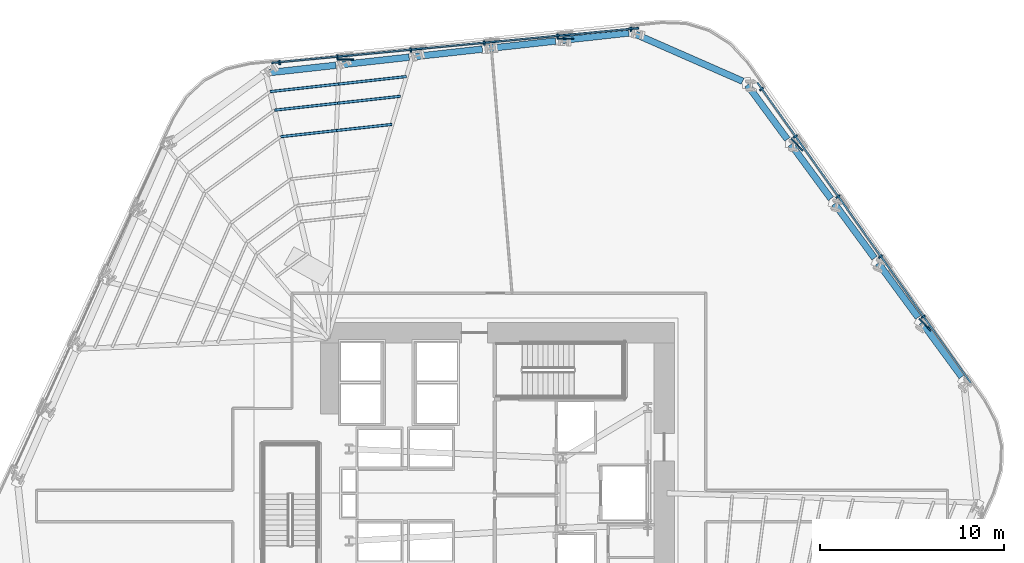
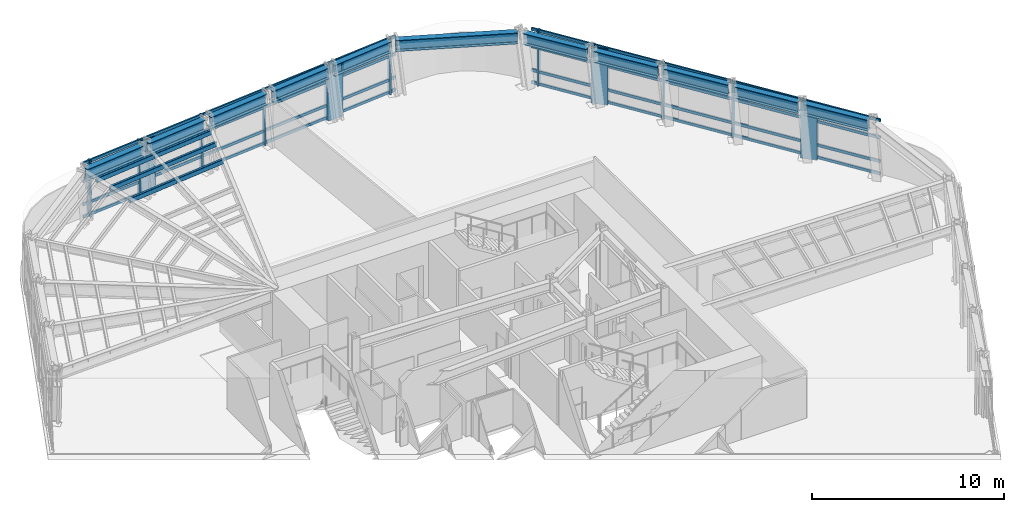
# One storey, part 6 of 16: 29 members, 11 beams, 2 elements without a shape of their own.
"""IFC4 building model written with IfcOpenShell, lengths in metres."""

import ifcopenshell
import ifcopenshell.guid

model = None  # the IFC model being written
_history = None  # IfcOwnerHistory: only IFC2X3 demands one
_inside = {}  # id of a spatial element -> (the spatial element, [elements in it])
_under = {}  # id of a project, library or spatial element -> (it, [spatial elements below it])
_declared = {}  # id of a project -> (the project, [libraries it declares])
_typed = {}  # id of a type object -> (the type object, [elements of that type])
_made_of = {}  # id of a material, layer set ... -> (it, [elements and type objects made of it])


def new_model(schema):
    """Start an empty IFC model of exactly this schema.

    Asked for "IFC4X3", IfcOpenShell would pick the latest addendum, in which some entities
    have other attributes; the version numbers below select the first issue.
    IFC2X3 requires an IfcOwnerHistory on every rooted entity: one is made here for all.
    """
    global model, _history
    if schema == "IFC4X3":
        model = ifcopenshell.file(schema_version=(4, 3, 0, 0))
    else:
        model = ifcopenshell.file(schema=schema)
    _inside.clear()
    _under.clear()
    _declared.clear()
    _typed.clear()
    _made_of.clear()
    _history = None
    if model.schema == "IFC2X3":
        org = make("IfcOrganization", Name="unknown")
        user = make(
            "IfcPersonAndOrganization",
            ThePerson=make("IfcPerson", FamilyName="unknown"),
            TheOrganization=org,
        )
        app = make(
            "IfcApplication",
            ApplicationDeveloper=org,
            Version="unknown",
            ApplicationFullName="unknown",
            ApplicationIdentifier="unknown",
        )
        _history = make(
            "IfcOwnerHistory",
            OwningUser=user,
            OwningApplication=app,
            ChangeAction="ADDED",
            CreationDate=0,
        )
    return model


def make(cls, **values):
    """One entity of the class cls with the attributes given. An attribute that is None is left unset."""
    return model.create_entity(
        cls, **{name: value for name, value in values.items() if value is not None}
    )


def rooted(cls, **values):
    """An entity with a GlobalId (a new one), such as an element, a storey or a relation."""
    return make(cls, GlobalId=ifcopenshell.guid.new(), OwnerHistory=_history, **values)


def si_unit(unit_type, name, prefix=None):
    """IfcSIUnit, for example si_unit("LENGTHUNIT", "METRE", prefix="MILLI")."""
    return make("IfcSIUnit", UnitType=unit_type, Prefix=prefix, Name=name)


def assignment(units):
    """IfcUnitAssignment: the units of a project."""
    return None if units is None else make("IfcUnitAssignment", Units=units)


def point(xyz):
    """IfcCartesianPoint."""
    return None if xyz is None else make("IfcCartesianPoint", Coordinates=xyz)


def direction(xyz):
    """IfcDirection."""
    return None if xyz is None else make("IfcDirection", DirectionRatios=xyz)


def frame(location, z_axis=None, x_axis=None):
    """IfcAxis2Placement3D, a coordinate frame: its origin and axes. An axis left out is left unset."""
    return make(
        "IfcAxis2Placement3D",
        Location=point(location),
        Axis=direction(z_axis),
        RefDirection=direction(x_axis),
    )


def frame_2d(location, x_axis=None):
    """IfcAxis2Placement2D, a coordinate frame in the plane: its origin and x axis."""
    return make(
        "IfcAxis2Placement2D", Location=point(location), RefDirection=direction(x_axis)
    )


def origin():
    """The frame at (0, 0, 0) with its axes left unset."""
    return frame((0.0, 0.0, 0.0))


def origin_2d():
    """The frame at (0, 0) in the plane with its x axis left unset."""
    return frame_2d((0.0, 0.0))


def place(relative_to, where):
    """IfcLocalPlacement: puts the frame where relative to a parent placement (None: the world)."""
    return make(
        "IfcLocalPlacement", PlacementRelTo=relative_to, RelativePlacement=where
    )


def context(
    kind, dimensions, precision=None, world=None, true_north=None, identifier=None
):
    """IfcGeometricRepresentationContext, for example the 3D "Model" context."""
    return make(
        "IfcGeometricRepresentationContext",
        ContextIdentifier=identifier,
        ContextType=kind,
        CoordinateSpaceDimension=dimensions,
        Precision=precision,
        WorldCoordinateSystem=world,
        TrueNorth=true_north,
    )


def subcontext(parent, identifier, kind, view, scale=None):
    """IfcGeometricRepresentationSubContext, for example "Body" below "Model"."""
    return make(
        "IfcGeometricRepresentationSubContext",
        ContextIdentifier=identifier,
        ContextType=kind,
        ParentContext=parent,
        TargetScale=scale,
        TargetView=view,
    )


def project(units=None, contexts=None):
    """IfcProject with its units and contexts."""
    return rooted(
        "IfcProject",
        Name="project",
        RepresentationContexts=contexts,
        UnitsInContext=assignment(units),
    )


def spatial(cls, under=None, at=None, **own):
    """A site, building, storey or space (cls), placed at a placement, below another one or the project."""
    s = rooted(cls, ObjectPlacement=at, **own)
    if under is not None:
        _under.setdefault(under.id(), (under, []))[1].append(s)
    return s


def profile(cls, at=None, kind="AREA", **sizes):
    """A parametric profile (cls). Its sizes go by their IFC names, for example OverallWidth=200.0."""
    return make(cls, ProfileType=kind, Position=at, **sizes)


def rectangle(**sizes):
    """IfcRectangleProfileDef."""
    return profile("IfcRectangleProfileDef", **sizes)


def hollow_rectangle(**sizes):
    """IfcRectangleHollowProfileDef."""
    return profile("IfcRectangleHollowProfileDef", **sizes)


def i_section(**sizes):
    """IfcIShapeProfileDef."""
    return profile("IfcIShapeProfileDef", **sizes)


def extrude(swept, where, along, depth):
    """IfcExtrudedAreaSolid: the profile swept, set in the frame where, extruded along a direction by depth."""
    return make(
        "IfcExtrudedAreaSolid",
        SweptArea=swept,
        Position=where,
        ExtrudedDirection=direction(along),
        Depth=depth,
    )


def shape(context_of_items, identifier, shape_type, items):
    """IfcShapeRepresentation: the items that make up one representation, for example the "Body"."""
    return make(
        "IfcShapeRepresentation",
        ContextOfItems=context_of_items,
        RepresentationIdentifier=identifier,
        RepresentationType=shape_type,
        Items=items,
    )


def material(Name=None, Category=None):
    """IfcMaterial."""
    return make("IfcMaterial", Name=Name, Category=Category)


def layer(
    of_material, thickness, ventilated=None, Name=None, Category=None, Priority=None
):
    """IfcMaterialLayer: one layer of a wall or slab, of a material (None: an air gap)."""
    return make(
        "IfcMaterialLayer",
        Material=of_material,
        LayerThickness=thickness,
        IsVentilated=ventilated,
        Name=Name,
        Category=Category,
        Priority=Priority,
    )


def layer_set(layers, Name=None):
    """IfcMaterialLayerSet."""
    return make("IfcMaterialLayerSet", MaterialLayers=layers, LayerSetName=Name)


def material_profile(
    of_material, cross_section, Name=None, Category=None, Priority=None
):
    """IfcMaterialProfile: a cross section and its material."""
    return make(
        "IfcMaterialProfile",
        Name=Name,
        Material=of_material,
        Profile=cross_section,
        Priority=Priority,
        Category=Category,
    )


def profile_set(profiles, Name=None, composite=None):
    """IfcMaterialProfileSet."""
    return make(
        "IfcMaterialProfileSet",
        Name=Name,
        MaterialProfiles=profiles,
        CompositeProfile=composite,
    )


def made_of(thing, what):
    """Note that an element or type object is made of a material, layer set ...; save() writes the relation."""
    if what is not None:
        _made_of.setdefault(what.id(), (what, []))[1].append(thing)
    return thing


def type_object(cls, material=None, **own):
    """A type object (cls), such as IfcWallType, which elements share."""
    return made_of(rooted(cls, **own), material)


def element(
    cls,
    number,
    at=None,
    inside=None,
    cuts=None,
    type_object=None,
    material=None,
    context=None,
    identifier="Body",
    shape_type=None,
    held_by="IfcProductDefinitionShape",
    body=None,
    shapes=None,
    **own,
):
    """One element of the class cls, such as IfcWall. Its Tag is "e" and its number.

    at: its placement. inside: the storey or other place that contains it. cuts: it is an
    opening in that element (IfcRelVoidsElement). A single representation is given by context,
    identifier, shape_type and body (its items); several are given by shapes. held_by: the class
    of the entity that holds the representations. save() writes the other relations.
    """
    e = rooted(cls, Tag="e%d" % number, ObjectPlacement=at, **own)
    if body is not None:
        shapes = [shape(context, identifier, shape_type, body)]
    if shapes is not None:
        e.Representation = make(held_by, Representations=shapes)
    if inside is not None:
        _inside.setdefault(inside.id(), (inside, []))[1].append(e)
    if cuts is not None:
        rooted(
            "IfcRelVoidsElement", RelatingBuildingElement=cuts, RelatedOpeningElement=e
        )
    if type_object is not None:
        _typed.setdefault(type_object.id(), (type_object, []))[1].append(e)
    return made_of(e, material)


def aggregate(whole, parts):
    """IfcRelAggregates: a whole, such as a stair, and the parts it consists of."""
    return rooted("IfcRelAggregates", RelatingObject=whole, RelatedObjects=parts)


def save(model, path):
    """Write the relations noted so far, then the file.

    IfcRelAggregates (storeys below a building ...), IfcRelContainedInSpatialStructure (elements
    in a storey), IfcRelDefinesByType, IfcRelAssociatesMaterial and IfcRelDeclares: one each for
    every whole, place, type object, material and project.
    """
    for whole, parts in _under.values():
        aggregate(whole, parts)
    for where, things in _inside.values():
        rooted(
            "IfcRelContainedInSpatialStructure",
            RelatedElements=things,
            RelatingStructure=where,
        )
    for kind, things in _typed.values():
        rooted("IfcRelDefinesByType", RelatedObjects=things, RelatingType=kind)
    for what, things in _made_of.values():
        rooted("IfcRelAssociatesMaterial", RelatedObjects=things, RelatingMaterial=what)
    for by, libraries in _declared.values():
        rooted("IfcRelDeclares", RelatingContext=by, RelatedDefinitions=libraries)
    model.write(path)


model = new_model("IFC4")

# Units and contexts
model_context = context("Model", 3, precision=1e-05, world=origin(), true_north=direction((0.0, 1.0)))
body_context = subcontext(model_context, "Body", "Model", "MODEL_VIEW")
ifc_project = project(units=[si_unit("LENGTHUNIT", "METRE"), si_unit("AREAUNIT", "SQUARE_METRE"), si_unit("VOLUMEUNIT", "CUBIC_METRE"), si_unit("PLANEANGLEUNIT", "RADIAN"), si_unit("MASSUNIT", "GRAM", prefix="KILO")], contexts=[model_context])

# Site, building, storey
site_placement = place(None, origin())
site = spatial("IfcSite", under=ifc_project, at=site_placement, CompositionType="ELEMENT")
building_placement = place(site_placement, origin())
building = spatial("IfcBuilding", under=site, at=building_placement, Name="Valkerne Bourse Tower", CompositionType="ELEMENT")
storey_placement = place(building_placement, frame((0.0, 0.0, 46.800048828125)))
storey = spatial("IfcBuildingStorey", under=building, at=storey_placement, Name="L11", CompositionType="ELEMENT", Elevation=46.800048828125)

# Beams
ifc_material_1 = material(Name="Steel ASTM A992", Category="steel")
ifc_material_profile_1 = material_profile(ifc_material_1, i_section(OverallWidth=0.358154296875, OverallDepth=0.7060546875, WebThickness=0.018310546875, FlangeThickness=0.0302734375, FilletRadius=0.02294921875, at=origin_2d()), Name="W27X178")
ifc_profile_set_1 = profile_set([ifc_material_profile_1], Name="Steel ASTM A992")
beam_type = type_object("IfcBeamType", Name="BM-W27X178", PredefinedType="SPANDREL", material=ifc_profile_set_1)
beam_1_placement = place(storey_placement, frame((71.981689453125, 33.313232421875, 3.226806640625), z_axis=(-0.592020669649, 0.805922779619, 0.0), x_axis=(-0.805922779619, -0.592020669649, 0.0)))
element("IfcBeam", 1, at=beam_1_placement, inside=storey, type_object=beam_type, Name="L11 Hexagonal Spandrel Ring Beam 00", PredefinedType="SPANDREL", context=body_context, shape_type="SweptSolid", body=[
    extrude(i_section(OverallWidth=0.358154296875, OverallDepth=0.7060546875, WebThickness=0.018310546875, FlangeThickness=0.0302734375, FilletRadius=0.02294921875, at=origin_2d()), origin(), (0.0, 0.0, 1.0), 3.65576171875),
])
beam_2_placement = place(storey_placement, frame((69.6162109375, 36.53369140625, 3.226806640625), z_axis=(-0.592064042626, 0.805890916582, 0.0), x_axis=(-0.805890916582, -0.592064042626, 0.0)))
element("IfcBeam", 2, at=beam_2_placement, inside=storey, type_object=beam_type, Name="L11 Hexagonal Spandrel Ring Beam 01", PredefinedType="SPANDREL", context=body_context, shape_type="SweptSolid", body=[
    extrude(i_section(OverallWidth=0.358154296875, OverallDepth=0.7060546875, WebThickness=0.018310546875, FlangeThickness=0.0302734375, FilletRadius=0.02294921875, at=origin_2d()), origin(), (0.0, 0.0, 1.0), 3.656005859375),
])
for number, where, z_axis, x_axis, name in (
    (3, (67.25048828125, 39.754150390625, 3.226806640625), (-0.592032180934, 0.805914323448, 0.0), (-0.805914323448, -0.592032180934, 0.0), "L11 Hexagonal Spandrel Ring Beam 02"),
    (4, (64.884765625, 42.974609375, 3.226806640625), (-0.592032180934, 0.805914323448, 0.0), (-0.805914323448, -0.592032180934, 0.0), "L11 Hexagonal Spandrel Ring Beam 03"),
    (5, (62.51904296875, 46.195068359375, 3.226806640625), (-0.592032180934, 0.805914323448, 0.0), (-0.805914323448, -0.592032180934, 0.0), "L11 Hexagonal Spandrel Ring Beam 04"),
):
    element("IfcBeam", number, at=place(storey_placement, frame(where, z_axis=z_axis, x_axis=x_axis)), inside=storey, type_object=beam_type, Name=name, PredefinedType="SPANDREL", context=body_context, shape_type="SweptSolid", body=[
        extrude(i_section(OverallWidth=0.358154296875, OverallDepth=0.7060546875, WebThickness=0.018310546875, FlangeThickness=0.0302734375, FilletRadius=0.02294921875, at=origin_2d()), origin(), (0.0, 0.0, 1.0), 3.65625),
    ])
beam_3_placement = place(storey_placement, frame((60.098388671875, 49.346923828125, 3.226806640625), z_axis=(-0.915656722887, 0.401961149656, 0.0), x_axis=(-0.401961149656, -0.915656722887, 0.0)))
element("IfcBeam", 6, at=beam_3_placement, inside=storey, type_object=beam_type, Name="L11 Hexagonal Spandrel Ring Beam 05", PredefinedType="SPANDREL", context=body_context, shape_type="SweptSolid", body=[
    extrude(i_section(OverallWidth=0.358154296875, OverallDepth=0.7060546875, WebThickness=0.018310546875, FlangeThickness=0.0302734375, FilletRadius=0.02294921875, at=origin_2d()), origin(), (0.0, 0.0, 1.0), 6.388916015625),
])
beam_4_placement = place(storey_placement, frame((53.923583984375, 51.964599609375, 3.226806640625), z_axis=(-0.99396328081, -0.109713246246, 0.0), x_axis=(0.109713246246, -0.99396328081, 0.0)))
element("IfcBeam", 7, at=beam_4_placement, inside=storey, type_object=beam_type, Name="L11 Hexagonal Spandrel Ring Beam 06", PredefinedType="SPANDREL", context=body_context, shape_type="SweptSolid", body=[
    extrude(i_section(OverallWidth=0.358154296875, OverallDepth=0.7060546875, WebThickness=0.018310546875, FlangeThickness=0.0302734375, FilletRadius=0.02294921875, at=origin_2d()), origin(), (0.0, 0.0, 1.0), 3.656005859375),
])
for number, where, z_axis, x_axis, name in (
    (8, (49.95166015625, 51.526123046875, 3.226806640625), (-0.993962476945, -0.10972052873, 0.0), (0.10972052873, -0.993962476945, 0.0), "L11 Hexagonal Spandrel Ring Beam 07"),
    (9, (45.979736328125, 51.087646484375, 3.226806640625), (-0.993962476945, -0.10972052873, 0.0), (0.10972052873, -0.993962476945, 0.0), "L11 Hexagonal Spandrel Ring Beam 08"),
    (10, (42.0078125, 50.649169921875, 3.226806640625), (-0.993962476945, -0.10972052873, 0.0), (0.10972052873, -0.993962476945, 0.0), "L11 Hexagonal Spandrel Ring Beam 09"),
    (11, (38.035888671875, 50.210693359375, 3.226806640625), (-0.993962476945, -0.10972052873, 0.0), (0.10972052873, -0.993962476945, 0.0), "L11 Hexagonal Spandrel Ring Beam 10"),
):
    element("IfcBeam", number, at=place(storey_placement, frame(where, z_axis=z_axis, x_axis=x_axis)), inside=storey, type_object=beam_type, Name=name, PredefinedType="SPANDREL", context=body_context, shape_type="SweptSolid", body=[
        extrude(i_section(OverallWidth=0.358154296875, OverallDepth=0.7060546875, WebThickness=0.018310546875, FlangeThickness=0.0302734375, FilletRadius=0.02294921875, at=origin_2d()), origin(), (0.0, 0.0, 1.0), 3.65576171875),
    ])

# Curtain wall, members
ifc_material_2 = material(Name="Aluminium AA 6063-T6", Category="aluminium")
ifc_layer = layer(ifc_material_2, 0.22509765625)
ifc_layer_set = layer_set([ifc_layer], Name="Aluminium AA 6063-T6")
curtain_wall_type = type_object("IfcCurtainWallType", Name="CW-01", PredefinedType="NOTDEFINED", material=ifc_layer_set)
curtain_wall_1_placement = place(storey_placement, origin())
curtain_wall_1 = element("IfcCurtainWall", 12, at=curtain_wall_1_placement, inside=storey, type_object=curtain_wall_type, Name="L11 Hexagonal Stick Curtain Wall Face 1", PredefinedType="NOTDEFINED")
ifc_material_profile_2 = material_profile(ifc_material_2, rectangle(XDim=0.090087890625, YDim=0.239990234375, at=origin_2d()), Name="CWM-90X240")
ifc_profile_set_2 = profile_set([ifc_material_profile_2], Name="Aluminium AA 6063-T6")
member_type_1 = type_object("IfcMemberType", Name="CW-MUL-240X90", PredefinedType="MULLION", material=ifc_profile_set_2)
member_1_placement = place(storey_placement, frame((69.8955078125, 36.57470703125, 0.0), z_axis=(0.0, 0.0, 1.0), x_axis=(-0.579274085678, 0.815132831913, 0.0)))
member_1 = element("IfcMember", 13, at=member_1_placement, type_object=member_type_1, Name="CW-L11-F1 Jamb Mullion 01A", PredefinedType="MULLION", context=body_context, shape_type="SweptSolid", body=[
    extrude(rectangle(XDim=0.090087890625, YDim=0.239990234375, at=origin_2d()), origin(), (0.0, 0.0, 1.0), 3.579833984375),
])
member_2_placement = place(storey_placement, frame((67.58056640625, 39.83203125, 0.0), z_axis=(0.0, 0.0, 1.0), x_axis=(-0.579285902215, 0.815124434363, 0.0)))
member_2 = element("IfcMember", 14, at=member_2_placement, type_object=member_type_1, Name="CW-L11-F1 Jamb Mullion 02A", PredefinedType="MULLION", context=body_context, shape_type="SweptSolid", body=[
    extrude(rectangle(XDim=0.090087890625, YDim=0.239990234375, at=origin_2d()), origin(), (0.0, 0.0, 1.0), 3.579833984375),
])
member_3_placement = place(storey_placement, frame((65.265869140625, 43.08935546875, 0.0), z_axis=(0.0, 0.0, 1.0), x_axis=(-0.579274085678, 0.815132831913, 0.0)))
member_3 = element("IfcMember", 15, at=member_3_placement, type_object=member_type_1, Name="CW-L11-F1 Jamb Mullion 03A", PredefinedType="MULLION", context=body_context, shape_type="SweptSolid", body=[
    extrude(rectangle(XDim=0.090087890625, YDim=0.239990234375, at=origin_2d()), origin(), (0.0, 0.0, 1.0), 3.579833984375),
])
member_4_placement = place(storey_placement, frame((62.950927734375, 46.3466796875, 0.0), z_axis=(0.0, 0.0, 1.0), x_axis=(-0.579285902215, 0.815124434363, 0.0)))
member_4 = element("IfcMember", 16, at=member_4_placement, type_object=member_type_1, Name="CW-L11-F1 Jamb Mullion 04A", PredefinedType="MULLION", context=body_context, shape_type="SweptSolid", body=[
    extrude(rectangle(XDim=0.090087890625, YDim=0.239990234375, at=origin_2d()), origin(), (0.0, 0.0, 1.0), 3.579833984375),
])
member_5_placement = place(storey_placement, frame((61.122802734375, 48.919189453125, 0.0), z_axis=(0.0, 0.0, 1.0), x_axis=(-0.579285902215, 0.815124434363, 0.0)))
member_5 = element("IfcMember", 17, at=member_5_placement, type_object=member_type_1, Name="CW-L11-F1 Jamb Mullion 04B", PredefinedType="MULLION", context=body_context, shape_type="SweptSolid", body=[
    extrude(rectangle(XDim=0.090087890625, YDim=0.239990234375, at=origin_2d()), origin(), (0.0, 0.0, 1.0), 3.579833984375),
])

curtain_wall_2_placement = place(storey_placement, origin())
curtain_wall_2 = element("IfcCurtainWall", 18, at=curtain_wall_2_placement, inside=storey, type_object=curtain_wall_type, Name="L11 Hexagonal Stick Curtain Wall Face 2", PredefinedType="NOTDEFINED")
member_6_placement = place(storey_placement, frame((54.033935546875, 52.164794921875, 0.0), z_axis=(0.0, 0.0, 1.0), x_axis=(-0.995560806693, -0.094120561919, 0.0)))
member_6 = element("IfcMember", 19, at=member_6_placement, type_object=member_type_1, Name="CW-L11-F2 Jamb Mullion 00A", PredefinedType="MULLION", context=body_context, shape_type="SweptSolid", body=[
    extrude(rectangle(XDim=0.090087890625, YDim=0.239990234375, at=origin_2d()), origin(), (0.0, 0.0, 1.0), 3.579833984375),
])
member_7_placement = place(storey_placement, frame((50.0556640625, 51.78857421875, 0.0), z_axis=(0.0, 0.0, 1.0), x_axis=(-0.995563372907, -0.094093413826, 0.0)))
member_7 = element("IfcMember", 20, at=member_7_placement, type_object=member_type_1, Name="CW-L11-F2 Jamb Mullion 01A", PredefinedType="MULLION", context=body_context, shape_type="SweptSolid", body=[
    extrude(rectangle(XDim=0.090087890625, YDim=0.239990234375, at=origin_2d()), origin(), (0.0, 0.0, 1.0), 3.579833984375),
])
member_8_placement = place(storey_placement, frame((46.077392578125, 51.41259765625, 0.0), z_axis=(0.0, 0.0, 1.0), x_axis=(-0.995561028378, -0.094118217018, 0.0)))
member_8 = element("IfcMember", 21, at=member_8_placement, type_object=member_type_1, Name="CW-L11-F2 Jamb Mullion 02A", PredefinedType="MULLION", context=body_context, shape_type="SweptSolid", body=[
    extrude(rectangle(XDim=0.090087890625, YDim=0.239990234375, at=origin_2d()), origin(), (0.0, 0.0, 1.0), 3.579833984375),
])
member_9_placement = place(storey_placement, frame((42.09912109375, 51.03662109375, 0.0), z_axis=(0.0, 0.0, 1.0), x_axis=(-0.99556315134, -0.094095758107, 0.0)))
member_9 = element("IfcMember", 22, at=member_9_placement, type_object=member_type_1, Name="CW-L11-F2 Jamb Mullion 03A", PredefinedType="MULLION", context=body_context, shape_type="SweptSolid", body=[
    extrude(rectangle(XDim=0.090087890625, YDim=0.239990234375, at=origin_2d()), origin(), (0.0, 0.0, 1.0), 3.579833984375),
])
member_10_placement = place(storey_placement, frame((38.120849609375, 50.660400390625, 0.0), z_axis=(0.0, 0.0, 1.0), x_axis=(-0.995561028378, -0.094118217018, 0.0)))
member_10 = element("IfcMember", 23, at=member_10_placement, type_object=member_type_1, Name="CW-L11-F2 Jamb Mullion 04A", PredefinedType="MULLION", context=body_context, shape_type="SweptSolid", body=[
    extrude(rectangle(XDim=0.090087890625, YDim=0.239990234375, at=origin_2d()), origin(), (0.0, 0.0, 1.0), 3.579833984375),
])
member_11_placement = place(storey_placement, frame((34.978759765625, 50.36328125, 0.0), z_axis=(0.0, 0.0, 1.0), x_axis=(-0.995561028378, -0.094118217018, 0.0)))
member_11 = element("IfcMember", 24, at=member_11_placement, type_object=member_type_1, Name="CW-L11-F2 Jamb Mullion 04B", PredefinedType="MULLION", context=body_context, shape_type="SweptSolid", body=[
    extrude(rectangle(XDim=0.090087890625, YDim=0.239990234375, at=origin_2d()), origin(), (0.0, 0.0, 1.0), 3.579833984375),
])

# Member
ifc_material_profile_3 = material_profile(ifc_material_2, rectangle(XDim=0.090087890625, YDim=0.179931640625, at=origin_2d()), Name="CWT-90X180")
ifc_profile_set_3 = profile_set([ifc_material_profile_3], Name="Aluminium AA 6063-T6")
member_type_2 = type_object("IfcMemberType", Name="CW-TRN-180X90", PredefinedType="USERDEFINED", material=ifc_profile_set_3)
member_12_placement = place(storey_placement, frame((72.4697265625, 32.98681640625, 0.119873046875), z_axis=(-0.579281919042, 0.815127265076, 0.0), x_axis=(-0.815127265076, -0.579281919042, 0.0)))
member_12 = element("IfcMember", 25, at=member_12_placement, type_object=member_type_2, Name="CW-L11-F1 Continuous Face Transom 1", ObjectType="TRANSOM", PredefinedType="USERDEFINED", context=body_context, shape_type="SweptSolid", body=[
    extrude(rectangle(XDim=0.090087890625, YDim=0.179931640625, at=origin_2d()), origin(), (0.0, 0.0, 1.0), 19.97998046875),
])

member_13_placement = place(storey_placement, frame((72.4697265625, 32.98681640625, 0.89990234375), z_axis=(-0.579281919042, 0.815127265076, 0.0), x_axis=(-0.815127265076, -0.579281919042, 0.0)))
member_13 = element("IfcMember", 26, at=member_13_placement, type_object=member_type_2, Name="CW-L11-F1 Continuous Face Transom 2", ObjectType="TRANSOM", PredefinedType="USERDEFINED", context=body_context, shape_type="SweptSolid", body=[
    extrude(rectangle(XDim=0.090087890625, YDim=0.179931640625, at=origin_2d()), origin(), (0.0, 0.0, 1.0), 19.97998046875),
])

member_14_placement = place(storey_placement, frame((72.4697265625, 32.98681640625, 2.39990234375), z_axis=(-0.579281919042, 0.815127265076, 0.0), x_axis=(-0.815127265076, -0.579281919042, 0.0)))
member_14 = element("IfcMember", 27, at=member_14_placement, type_object=member_type_2, Name="CW-L11-F1 Continuous Face Transom 3", ObjectType="TRANSOM", PredefinedType="USERDEFINED", context=body_context, shape_type="SweptSolid", body=[
    extrude(rectangle(XDim=0.090087890625, YDim=0.179931640625, at=origin_2d()), origin(), (0.0, 0.0, 1.0), 19.97998046875),
])

member_15_placement = place(storey_placement, frame((72.4697265625, 32.98681640625, 3.5), z_axis=(-0.579281919042, 0.815127265076, 0.0), x_axis=(-0.815127265076, -0.579281919042, 0.0)))
member_15 = element("IfcMember", 28, at=member_15_placement, type_object=member_type_2, Name="CW-L11-F1 Continuous Face Transom 4", ObjectType="TRANSOM", PredefinedType="USERDEFINED", context=body_context, shape_type="SweptSolid", body=[
    extrude(rectangle(XDim=0.090087890625, YDim=0.179931640625, at=origin_2d()), origin(), (0.0, 0.0, 1.0), 19.97998046875),
])

aggregate(curtain_wall_1, [member_12, member_13, member_14, member_15, member_1, member_2, member_3, member_4, member_5])

member_16_placement = place(storey_placement, frame((54.4501953125, 52.22412109375, 0.119873046875), z_axis=(-0.995561569681, -0.094112491067, 0.0), x_axis=(0.094112491067, -0.995561569681, 0.0)))
member_16 = element("IfcMember", 29, at=member_16_placement, type_object=member_type_2, Name="CW-L11-F2 Continuous Face Transom 1", ObjectType="TRANSOM", PredefinedType="USERDEFINED", context=body_context, shape_type="SweptSolid", body=[
    extrude(rectangle(XDim=0.090087890625, YDim=0.179931640625, at=origin_2d()), origin(), (0.0, 0.0, 1.0), 19.97998046875),
])

member_17_placement = place(storey_placement, frame((54.4501953125, 52.22412109375, 0.89990234375), z_axis=(-0.995561569681, -0.094112491067, 0.0), x_axis=(0.094112491067, -0.995561569681, 0.0)))
member_17 = element("IfcMember", 30, at=member_17_placement, type_object=member_type_2, Name="CW-L11-F2 Continuous Face Transom 2", ObjectType="TRANSOM", PredefinedType="USERDEFINED", context=body_context, shape_type="SweptSolid", body=[
    extrude(rectangle(XDim=0.090087890625, YDim=0.179931640625, at=origin_2d()), origin(), (0.0, 0.0, 1.0), 19.97998046875),
])

member_18_placement = place(storey_placement, frame((54.4501953125, 52.22412109375, 2.39990234375), z_axis=(-0.995561569681, -0.094112491067, 0.0), x_axis=(0.094112491067, -0.995561569681, 0.0)))
member_18 = element("IfcMember", 31, at=member_18_placement, type_object=member_type_2, Name="CW-L11-F2 Continuous Face Transom 3", ObjectType="TRANSOM", PredefinedType="USERDEFINED", context=body_context, shape_type="SweptSolid", body=[
    extrude(rectangle(XDim=0.090087890625, YDim=0.179931640625, at=origin_2d()), origin(), (0.0, 0.0, 1.0), 19.97998046875),
])

member_19_placement = place(storey_placement, frame((54.4501953125, 52.22412109375, 3.5), z_axis=(-0.995561569681, -0.094112491067, 0.0), x_axis=(0.094112491067, -0.995561569681, 0.0)))
member_19 = element("IfcMember", 32, at=member_19_placement, type_object=member_type_2, Name="CW-L11-F2 Continuous Face Transom 4", ObjectType="TRANSOM", PredefinedType="USERDEFINED", context=body_context, shape_type="SweptSolid", body=[
    extrude(rectangle(XDim=0.090087890625, YDim=0.179931640625, at=origin_2d()), origin(), (0.0, 0.0, 1.0), 19.97998046875),
])

aggregate(curtain_wall_2, [member_16, member_17, member_18, member_19, member_6, member_7, member_8, member_9, member_10, member_11])

# Members
ifc_material_3 = material(Name="Bronze Anodised Aluminium AA 6063-T6", Category="aluminium")
ifc_material_profile_4 = material_profile(ifc_material_3, rectangle(XDim=0.070068359375, YDim=0.89990234375, at=origin_2d()), Name="FIN-70X900")
ifc_profile_set_4 = profile_set([ifc_material_profile_4], Name="Bronze Anodised Aluminium AA 6063-T6")
member_type_3 = type_object("IfcMemberType", Name="FIN-SOLAR-900", PredefinedType="USERDEFINED", material=ifc_profile_set_4)
for number, where, z_axis, x_axis, name in (
    (33, (69.991943359375, 36.128173828125, 0.00390625), (0.0, 0.0, 1.0), (0.718877715138, 0.695136555418, 0.0), "L11 Bronze Anodised Solar Fin F1-01"),
    (34, (63.047607421875, 45.89990234375, 0.00390625), (0.0, 0.0, 1.0), (0.718869575702, 0.695144972743, 0.0), "L11 Bronze Anodised Solar Fin F1-04"),
    (35, (50.49072265625, 51.64892578125, 0.00390625), (0.0, 0.0, 1.0), (-0.003098093464, 0.999995200897, 0.0), "L11 Bronze Anodised Solar Fin F2-01"),
    (36, (38.555908203125, 50.520751953125, 0.00390625), (0.0, 0.0, 1.0), (-0.003117358857, 0.999995141025, 0.0), "L11 Bronze Anodised Solar Fin F2-04"),
):
    element("IfcMember", number, at=place(storey_placement, frame(where, z_axis=z_axis, x_axis=x_axis)), inside=storey, type_object=member_type_3, Name=name, ObjectType="SOLAR_FIN", PredefinedType="USERDEFINED", context=body_context, shape_type="SweptSolid", body=[
        extrude(rectangle(XDim=0.070068359375, YDim=0.89990234375, at=origin_2d()), origin(), (0.0, 0.0, 1.0), 3.572021484375),
    ])
ifc_material_4 = material(Name="Steel ASTM A500 Grade C", Category="steel")
ifc_material_profile_5 = material_profile(ifc_material_4, hollow_rectangle(XDim=0.14990234375, YDim=0.300048828125, WallThickness=0.012451171875, OuterFilletRadius=0.02490234375, at=origin_2d()), Name="HSS300X150X12.5")
ifc_profile_set_5 = profile_set([ifc_material_profile_5], Name="Steel ASTM A500 Grade C")
member_type_4 = type_object("IfcMemberType", Name="MBR-HSS300X150X12.5", PredefinedType="PURLIN", material=ifc_profile_set_5)
for number, where, z_axis, x_axis, name in (
    (37, (41.078369140625, 47.00341796875, 3.419921875), (-0.993969705968, -0.109655020943, 0.0), (0.109655020943, -0.993969705968, 0.0), "L11 Secondary Composite Floor Purlin O-09"),
    (38, (38.059814453125, 46.67041015625, 3.419921875), (-0.993952169077, -0.10981386792, 0.0), (0.10981386792, -0.993952169077, 0.0), "L11 Secondary Composite Floor Purlin O-10"),
):
    element("IfcMember", number, at=place(storey_placement, frame(where, z_axis=z_axis, x_axis=x_axis)), inside=storey, type_object=member_type_4, Name=name, PredefinedType="PURLIN", context=body_context, shape_type="SweptSolid", body=[
        extrude(hollow_rectangle(XDim=0.14990234375, YDim=0.300048828125, WallThickness=0.012451171875, OuterFilletRadius=0.02490234375, at=origin_2d()), origin(), (0.0, 0.0, 1.0), 3.036865234375),
    ])
for number, where, z_axis, x_axis, name in (
    (39, (41.5361328125, 48.5302734375, 3.419921875), (-0.993965764801, -0.109690739822, 0.0), (0.109690739822, -0.993965764801, 0.0), "L11 Secondary Composite Floor Purlin T-09"),
    (40, (38.120361328125, 48.1533203125, 3.419921875), (-0.993958016623, -0.109760927431, 0.0), (0.109760927431, -0.993958016623, 0.0), "L11 Secondary Composite Floor Purlin T-10"),
):
    element("IfcMember", number, at=place(storey_placement, frame(where, z_axis=z_axis, x_axis=x_axis)), inside=storey, type_object=member_type_4, Name=name, PredefinedType="PURLIN", context=body_context, shape_type="SweptSolid", body=[
        extrude(hollow_rectangle(XDim=0.14990234375, YDim=0.300048828125, WallThickness=0.012451171875, OuterFilletRadius=0.02490234375, at=origin_2d()), origin(), (0.0, 0.0, 1.0), 3.4365234375),
    ])
member_20_placement = place(storey_placement, frame((41.8564453125, 49.59912109375, 3.419921875), z_axis=(-0.993956422859, -0.109775359061, 0.0), x_axis=(0.109775359061, -0.993956422859, 0.0)))
element("IfcMember", 41, at=member_20_placement, inside=storey, type_object=member_type_4, Name="L11 Secondary Composite Floor Purlin U-09", PredefinedType="PURLIN", context=body_context, shape_type="SweptSolid", body=[
    extrude(hollow_rectangle(XDim=0.14990234375, YDim=0.300048828125, WallThickness=0.012451171875, OuterFilletRadius=0.02490234375, at=origin_2d()), origin(), (0.0, 0.0, 1.0), 3.71630859375),
])
member_21_placement = place(storey_placement, frame((38.16259765625, 49.191162109375, 3.419921875), z_axis=(-0.993962798029, -0.109717619982, 0.0), x_axis=(0.109717619982, -0.993962798029, 0.0)))
element("IfcMember", 42, at=member_21_placement, inside=storey, type_object=member_type_4, Name="L11 Secondary Composite Floor Purlin U-10", PredefinedType="PURLIN", context=body_context, shape_type="SweptSolid", body=[
    extrude(hollow_rectangle(XDim=0.14990234375, YDim=0.300048828125, WallThickness=0.012451171875, OuterFilletRadius=0.02490234375, at=origin_2d()), origin(), (0.0, 0.0, 1.0), 3.716064453125),
])

save(model, "model.ifc")
